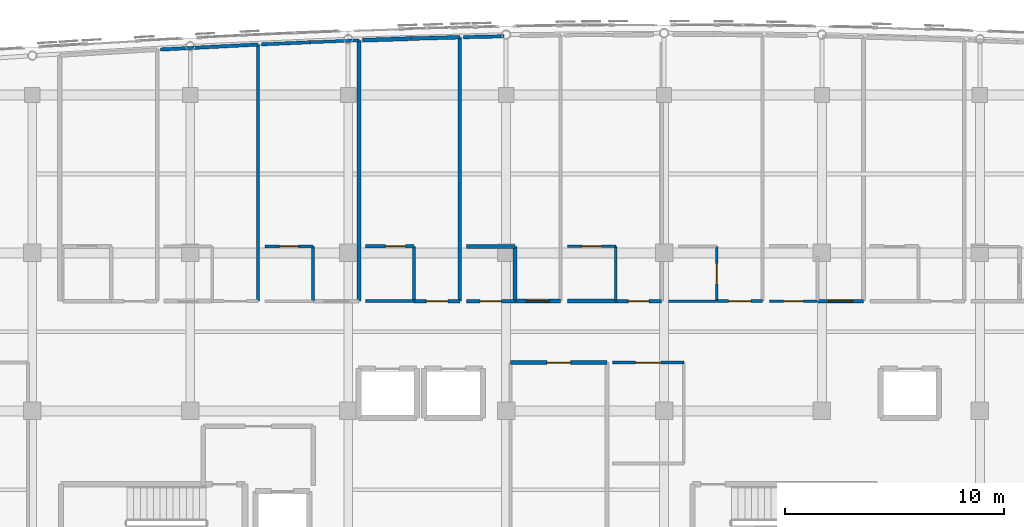
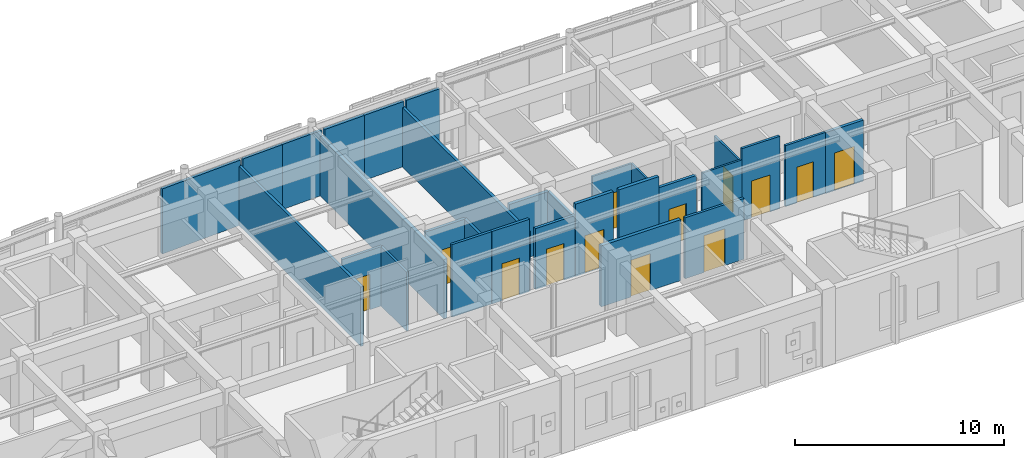
# One storey, part 82 of 106: 30 walls, 13 doors, 13 openings.
"""IFC4 building model written with IfcOpenShell, lengths in metres."""

from ifc_helpers import new_model, si_unit, direction, frame, frame_2d, origin, place, context, subcontext, project, spatial, rectangle, extrude, material, layer, layer_set, type_object, element, fill, save


model = new_model("IFC4")

# Units and contexts
model_context = context("Model", 3, precision=1e-05, world=origin(), true_north=direction((0.0, 1.0)))
body_context = subcontext(model_context, "Body", "Model", "MODEL_VIEW")
ifc_project = project(units=[si_unit("LENGTHUNIT", "METRE"), si_unit("AREAUNIT", "SQUARE_METRE"), si_unit("VOLUMEUNIT", "CUBIC_METRE"), si_unit("PLANEANGLEUNIT", "RADIAN"), si_unit("MASSUNIT", "GRAM", prefix="KILO")], contexts=[model_context])

# Site, building, storey
site_placement = place(None, origin())
site = spatial("IfcSite", under=ifc_project, at=site_placement, CompositionType="ELEMENT")
building_placement = place(site_placement, origin())
building = spatial("IfcBuilding", under=site, at=building_placement, Name="Carrowvane Square Congress Hotel", CompositionType="ELEMENT")
storey_placement = place(building_placement, frame((0.0, 0.0, 10.5)))
storey = spatial("IfcBuildingStorey", under=building, at=storey_placement, Name="L02", CompositionType="ELEMENT", Elevation=10.5)

# Wall
ifc_material_1 = material(Name="Acoustic gypsum board", Category="gypsum")
ifc_layer_1 = layer(ifc_material_1, 0.155029296875)
ifc_layer_set_1 = layer_set([ifc_layer_1], Name="Acoustic gypsum board")
wall_type_1 = type_object("IfcWallType", Name="WL-FIR-155", PredefinedType="PARTITIONING", material=ifc_layer_set_1)
wall_1_placement = place(storey_placement, frame((75.050048828125, 115.473388671875, 0.0), z_axis=(0.0, 0.0, 1.0), x_axis=(0.998700595236, 0.050961957131, 0.0)))
element("IfcWall", 1, at=wall_1_placement, inside=storey, type_object=wall_type_1, Name="L02 Parkview Guest Bedroom 0206 partition", PredefinedType="PARTITIONING", context=body_context, shape_type="SweptSolid", body=[
    extrude(rectangle(XDim=4.44580078125, YDim=0.155029296875, at=frame_2d((2.222900390625, 0.0))), origin(), (0.0, 0.0, 1.0), 3.795654296875),
])

# Wall, opening, door
wall_2_placement = place(storey_placement, frame((84.39990234375, 106.5, 0.0), z_axis=(0.0, 0.0, 1.0), x_axis=(1.0, 0.0, 0.0)))
wall_2 = element("IfcWall", 2, at=wall_2_placement, inside=storey, type_object=wall_type_1, Name="L02 En-suite Bathroom 0208 partition", PredefinedType="PARTITIONING", context=body_context, shape_type="SweptSolid", body=[
    extrude(rectangle(XDim=2.2001953125, YDim=0.155029296875, at=frame_2d((1.10009765625, 0.0))), origin(), (0.0, 0.0, 1.0), 3.455078125),
])
opening_1_placement = place(wall_2_placement, frame((0.889892578125, 0.0, 0.0)))
opening_1 = element("IfcOpeningElement", 3, at=opening_1_placement, cuts=wall_2, Name="Opening ID-03", PredefinedType="OPENING", context=body_context, shape_type="SweptSolid", body=[
    extrude(rectangle(XDim=0.919921875, YDim=2.10009765625, at=frame_2d((0.4599609375, 1.050048828125))), frame((0.0, 0.08740234375, 0.0), z_axis=(0.0, -1.0, 0.0), x_axis=(1.0, 0.0, 0.0)), (0.0, 0.0, 1.0), 0.175048828125),
])
ifc_material_2 = material(Name="European oak timber", Category="wood")
door_type_1 = type_object("IfcDoorType", Name="DR-INT-0920x2100", OperationType="NOTDEFINED", PredefinedType="DOOR", material=ifc_material_2)
door_1_placement = place(opening_1_placement, origin())
door_1 = element("IfcDoor", 4, at=door_1_placement, inside=storey, type_object=door_type_1, Name="L02 En-suite Bathroom 0208 door", OperationType="SINGLE_SWING_LEFT", OverallHeight=2.10009765625, OverallWidth=0.919921875, PredefinedType="DOOR", context=body_context, shape_type="SweptSolid", body=[
    extrude(rectangle(XDim=0.919921875, YDim=2.10009765625, at=frame_2d((0.4599609375, 1.050048828125))), frame((0.0, 0.02490234375, 0.0), z_axis=(0.0, -1.0, 0.0), x_axis=(1.0, 0.0, 0.0)), (0.0, 0.0, 1.0), 0.050048828125),
])
fill(opening_1, door_1)

# Wall
wall_3_placement = place(storey_placement, frame((88.68994140625, 116.0322265625, 0.0), z_axis=(0.0, 0.0, 1.0), x_axis=(0.0, -1.0, 0.0)))
element("IfcWall", 5, at=wall_3_placement, inside=storey, type_object=wall_type_1, Name="L02 Parkview Guest Bedroom 0208 partition", PredefinedType="PARTITIONING", context=body_context, shape_type="SweptSolid", body=[
    extrude(rectangle(XDim=12.0322265625, YDim=0.155029296875, at=frame_2d((6.01611328125, 0.0))), origin(), (0.0, 0.0, 1.0), 3.455078125),
])

# Wall, opening, door
wall_4_placement = place(storey_placement, frame((91.199951171875, 104.0, 0.0), z_axis=(0.0, 0.0, 1.0), x_axis=(-1.0, 0.0, 0.0)))
wall_4 = element("IfcWall", 6, at=wall_4_placement, inside=storey, type_object=wall_type_1, Name="L02 En-suite Bathroom 0209 partition", PredefinedType="PARTITIONING", context=body_context, shape_type="SweptSolid", body=[
    extrude(rectangle(XDim=2.199951171875, YDim=0.155029296875, at=frame_2d((1.10009765625, 0.0))), origin(), (0.0, 0.0, 1.0), 3.554931640625),
])
opening_2_placement = place(wall_4_placement, frame((0.6201171875, 0.0, 0.0)))
opening_2 = element("IfcOpeningElement", 7, at=opening_2_placement, cuts=wall_4, Name="Opening ID-05", PredefinedType="OPENING", context=body_context, shape_type="SweptSolid", body=[
    extrude(rectangle(XDim=0.9599609375, YDim=2.139892578125, at=frame_2d((0.47998046875, 1.06982421875))), frame((0.0, 0.08740234375, 0.0), z_axis=(0.0, -1.0, 0.0), x_axis=(1.0, 0.0, 0.0)), (0.0, 0.0, 1.0), 0.175048828125),
])
ifc_material_3 = material(Name="European oak timber", Category="wood")
door_type_2 = type_object("IfcDoorType", Name="DR-INT-0960x2140", OperationType="NOTDEFINED", PredefinedType="DOOR", material=ifc_material_3)
door_2_placement = place(opening_2_placement, origin())
door_2 = element("IfcDoor", 8, at=door_2_placement, inside=storey, type_object=door_type_2, Name="L02 En-suite Bathroom 0209 door", OperationType="SINGLE_SWING_LEFT", OverallHeight=2.139892578125, OverallWidth=0.9599609375, PredefinedType="DOOR", context=body_context, shape_type="SweptSolid", body=[
    extrude(rectangle(XDim=0.9599609375, YDim=2.139892578125, at=frame_2d((0.47998046875, 1.06982421875))), frame((0.0, 0.02490234375, 0.0), z_axis=(0.0, -1.0, 0.0), x_axis=(1.0, 0.0, 0.0)), (0.0, 0.0, 1.0), 0.050048828125),
])
fill(opening_2, door_2)

# Wall
wall_5_placement = place(storey_placement, frame((88.85009765625, 116.035888671875, 0.0), z_axis=(0.0, 0.0, 1.0), x_axis=(0.999762733925, 0.021782466706, 0.0)))
element("IfcWall", 9, at=wall_5_placement, inside=storey, type_object=wall_type_1, Name="L02 Parkview Guest Bedroom 0209 partition", PredefinedType="PARTITIONING", context=body_context, shape_type="SweptSolid", body=[
    extrude(rectangle(XDim=1.860595703125, YDim=0.155029296875, at=frame_2d((0.93017578125, 0.0))), origin(), (0.0, 0.0, 1.0), 3.795654296875),
])

# Wall, opening, door
wall_6_placement = place(storey_placement, frame((97.889892578125, 104.0, 0.0), z_axis=(0.0, 0.0, 1.0), x_axis=(-1.0, 0.0, 0.0)))
wall_6 = element("IfcWall", 10, at=wall_6_placement, inside=storey, type_object=wall_type_1, Name="L02 Parkview Guest Bedroom 0210 partition", PredefinedType="PARTITIONING", context=body_context, shape_type="SweptSolid", body=[
    extrude(rectangle(XDim=2.079833984375, YDim=0.155029296875, at=frame_2d((1.0400390625, 0.0))), origin(), (0.0, 0.0, 1.0), 3.554931640625),
])
opening_3_placement = place(wall_6_placement, frame((0.56494140625, 0.0, 0.0)))
opening_3 = element("IfcOpeningElement", 11, at=opening_3_placement, cuts=wall_6, Name="Opening FD-06", PredefinedType="OPENING", context=body_context, shape_type="SweptSolid", body=[
    extrude(rectangle(XDim=0.949951171875, YDim=2.10009765625, at=frame_2d((0.47509765625, 1.050048828125))), frame((0.0, 0.08740234375, 0.0), z_axis=(0.0, -1.0, 0.0), x_axis=(1.0, 0.0, 0.0)), (0.0, 0.0, 1.0), 0.175048828125),
])
ifc_material_4 = material(Name="European oak timber", Category="wood")
door_type_3 = type_object("IfcDoorType", Name="DR-FD30-0950x2100", OperationType="NOTDEFINED", PredefinedType="DOOR", material=ifc_material_4)
door_3_placement = place(opening_3_placement, origin())
door_3 = element("IfcDoor", 12, at=door_3_placement, inside=storey, type_object=door_type_3, Name="L02 Parkview Guest Bedroom 0210 entrance door", OperationType="SINGLE_SWING_RIGHT", OverallHeight=2.10009765625, OverallWidth=0.949951171875, PredefinedType="DOOR", context=body_context, shape_type="SweptSolid", body=[
    extrude(rectangle(XDim=0.949951171875, YDim=2.10009765625, at=frame_2d((0.47509765625, 1.050048828125))), frame((0.0, 0.02490234375, 0.0), z_axis=(0.0, -1.0, 0.0), x_axis=(1.0, 0.0, 0.0)), (0.0, 0.0, 1.0), 0.050048828125),
])
fill(opening_3, door_3)

# Walls
ifc_material_5 = material(Name="Acoustic gypsum board", Category="gypsum")
ifc_layer_2 = layer(ifc_material_5, 0.169921875)
ifc_layer_set_2 = layer_set([ifc_layer_2], Name="Acoustic gypsum board")
wall_type_2 = type_object("IfcWallType", Name="WL-FIR-170", PredefinedType="PARTITIONING", material=ifc_layer_set_2)
wall_7_placement = place(storey_placement, frame((86.469970703125, 115.970458984375, 0.0), z_axis=(0.0, 0.0, 1.0), x_axis=(0.999613148223, 0.027812836963, 0.0)))
element("IfcWall", 13, at=wall_7_placement, inside=storey, type_object=wall_type_2, Name="L02 Parkview Guest Bedroom 0208 partition", PredefinedType="PARTITIONING", context=body_context, shape_type="SweptSolid", body=[
    extrude(rectangle(XDim=2.220947265625, YDim=0.169921875, at=frame_2d((1.1103515625, 0.0))), origin(), (0.0, 0.0, 1.0), 3.795654296875),
])
wall_8_placement = place(storey_placement, frame((91.199951171875, 106.5, 0.0), z_axis=(0.0, 0.0, 1.0), x_axis=(0.0, -1.0, 0.0)))
element("IfcWall", 14, at=wall_8_placement, inside=storey, type_object=wall_type_2, Name="L02 En-suite Bathroom 0209 partition", PredefinedType="PARTITIONING", context=body_context, shape_type="SweptSolid", body=[
    extrude(rectangle(XDim=2.5, YDim=0.169921875, at=frame_2d((1.25, 0.0))), origin(), (0.0, 0.0, 1.0), 3.455078125),
])

# Wall, opening, door
wall_9_placement = place(storey_placement, frame((107.090087890625, 104.0, 0.0), z_axis=(0.0, 0.0, 1.0), x_axis=(-1.0, 0.0, 0.0)))
wall_9 = element("IfcWall", 15, at=wall_9_placement, inside=storey, type_object=wall_type_2, Name="L02 Parkview Guest Bedroom 0212 partition", PredefinedType="PARTITIONING", context=body_context, shape_type="SweptSolid", body=[
    extrude(rectangle(XDim=2.080078125, YDim=0.169921875, at=frame_2d((1.0400390625, 0.0))), origin(), (0.0, 0.0, 1.0), 3.554931640625),
])
opening_4_placement = place(wall_9_placement, frame((0.47998046875, 0.0, 0.0)))
opening_4 = element("IfcOpeningElement", 16, at=opening_4_placement, cuts=wall_9, Name="Opening FD-10", PredefinedType="OPENING", context=body_context, shape_type="SweptSolid", body=[
    extrude(rectangle(XDim=1.1201171875, YDim=2.199951171875, at=frame_2d((0.56005859375, 1.10009765625))), frame((0.0, 0.094970703125, 0.0), z_axis=(0.0, -1.0, 0.0), x_axis=(1.0, 0.0, 0.0)), (0.0, 0.0, 1.0), 0.18994140625),
])
ifc_material_6 = material(Name="European oak timber", Category="wood")
door_type_4 = type_object("IfcDoorType", Name="DR-FD30-1120x2200", OperationType="NOTDEFINED", PredefinedType="DOOR", material=ifc_material_6)
door_4_placement = place(opening_4_placement, origin())
door_4 = element("IfcDoor", 17, at=door_4_placement, inside=storey, type_object=door_type_4, Name="L02 Parkview Guest Bedroom 0212 entrance door", OperationType="SINGLE_SWING_RIGHT", OverallHeight=2.199951171875, OverallWidth=1.1201171875, PredefinedType="DOOR", context=body_context, shape_type="SweptSolid", body=[
    extrude(rectangle(XDim=1.1201171875, YDim=2.199951171875, at=frame_2d((0.56005859375, 1.10009765625))), frame((0.0, 0.02490234375, 0.0), z_axis=(0.0, -1.0, 0.0), x_axis=(1.0, 0.0, 0.0)), (0.0, 0.0, 1.0), 0.050048828125),
])
fill(opening_4, door_4)

ifc_material_7 = material(Name="Acoustic gypsum board", Category="gypsum")
ifc_layer_3 = layer(ifc_material_7, 0.18505859375)
ifc_layer_set_3 = layer_set([ifc_layer_3], Name="Acoustic gypsum board")
wall_type_3 = type_object("IfcWallType", Name="WL-FIR-185", PredefinedType="PARTITIONING", material=ifc_layer_set_3)
wall_10_placement = place(storey_placement, frame((91.0, 101.199951171875, 0.0), z_axis=(0.0, 0.0, 1.0), x_axis=(1.0, 0.0, 0.0)))
wall_10 = element("IfcWall", 18, at=wall_10_placement, inside=storey, type_object=wall_type_3, Name="L02 L02 Housekeeping Linen Pantry partition", PredefinedType="PARTITIONING", context=body_context, shape_type="SweptSolid", body=[
    extrude(rectangle(XDim=4.39990234375, YDim=0.18505859375, at=frame_2d((2.199951171875, 0.0))), origin(), (0.0, 0.0, 1.0), 3.554931640625),
])
opening_5_placement = place(wall_10_placement, frame((1.659912109375, 0.0, 0.0)))
opening_5 = element("IfcOpeningElement", 19, at=opening_5_placement, cuts=wall_10, Name="Opening ID-08", PredefinedType="OPENING", context=body_context, shape_type="SweptSolid", body=[
    extrude(rectangle(XDim=1.080078125, YDim=2.14990234375, at=frame_2d((0.5400390625, 1.074951171875))), frame((0.0, 0.1025390625, 0.0), z_axis=(0.0, -1.0, 0.0), x_axis=(1.0, 0.0, 0.0)), (0.0, 0.0, 1.0), 0.205078125),
])
ifc_material_8 = material(Name="European oak timber", Category="wood")
door_type_5 = type_object("IfcDoorType", Name="DR-INT-1080x2150", OperationType="NOTDEFINED", PredefinedType="DOOR", material=ifc_material_8)
door_5_placement = place(opening_5_placement, origin())
door_5 = element("IfcDoor", 20, at=door_5_placement, inside=storey, type_object=door_type_5, Name="L02 L02 Housekeeping Linen Pantry entrance door", OperationType="SINGLE_SWING_LEFT", OverallHeight=2.14990234375, OverallWidth=1.080078125, PredefinedType="DOOR", context=body_context, shape_type="SweptSolid", body=[
    extrude(rectangle(XDim=1.080078125, YDim=2.14990234375, at=frame_2d((0.5400390625, 1.074951171875))), frame((0.0, 0.02490234375, 0.0), z_axis=(0.0, -1.0, 0.0), x_axis=(1.0, 0.0, 0.0)), (0.0, 0.0, 1.0), 0.050048828125),
])
fill(opening_5, door_5)

# Walls
wall_11_placement = place(storey_placement, frame((84.090087890625, 115.890869140625, 0.0), z_axis=(0.0, 0.0, 1.0), x_axis=(0.0, -1.0, 0.0)))
element("IfcWall", 21, at=wall_11_placement, inside=storey, type_object=wall_type_3, Name="L02 Parkview Guest Bedroom 0207 partition", PredefinedType="PARTITIONING", context=body_context, shape_type="SweptSolid", body=[
    extrude(rectangle(XDim=11.890869140625, YDim=0.18505859375, at=frame_2d((5.9453125, 0.0))), origin(), (0.0, 0.0, 1.0), 3.455078125),
])
wall_12_placement = place(storey_placement, frame((84.25, 115.896484375, 0.0), z_axis=(0.0, 0.0, 1.0), x_axis=(0.999445272891, 0.03330385106, 0.0)))
element("IfcWall", 22, at=wall_12_placement, inside=storey, type_object=wall_type_3, Name="L02 Parkview Guest Bedroom 0208 partition", PredefinedType="PARTITIONING", context=body_context, shape_type="SweptSolid", body=[
    extrude(rectangle(XDim=2.22119140625, YDim=0.18505859375, at=frame_2d((1.110595703125, 0.0))), origin(), (0.0, 0.0, 1.0), 3.795654296875),
])
wall_13_placement = place(storey_placement, frame((89.0, 106.5, 0.0), z_axis=(0.0, 0.0, 1.0), x_axis=(1.0, 0.0, 0.0)))
element("IfcWall", 23, at=wall_13_placement, inside=storey, type_object=wall_type_3, Name="L02 En-suite Bathroom 0209 partition", PredefinedType="PARTITIONING", context=body_context, shape_type="SweptSolid", body=[
    extrude(rectangle(XDim=2.199951171875, YDim=0.18505859375, at=frame_2d((1.10009765625, 0.0))), origin(), (0.0, 0.0, 1.0), 3.455078125),
])

# Wall, opening, door
wall_14_placement = place(storey_placement, frame((93.2900390625, 104.0, 0.0), z_axis=(0.0, 0.0, 1.0), x_axis=(-1.0, 0.0, 0.0)))
wall_14 = element("IfcWall", 24, at=wall_14_placement, inside=storey, type_object=wall_type_3, Name="L02 Parkview Guest Bedroom 0209 partition", PredefinedType="PARTITIONING", context=body_context, shape_type="SweptSolid", body=[
    extrude(rectangle(XDim=2.080078125, YDim=0.18505859375, at=frame_2d((1.0400390625, 0.0))), origin(), (0.0, 0.0, 1.0), 4.219970703125),
])
opening_6_placement = place(wall_14_placement, frame((0.510009765625, 0.0, 0.0)))
opening_6 = element("IfcOpeningElement", 25, at=opening_6_placement, cuts=wall_14, Name="Opening FD-09", PredefinedType="OPENING", context=body_context, shape_type="SweptSolid", body=[
    extrude(rectangle(XDim=1.06005859375, YDim=2.199951171875, at=frame_2d((0.530029296875, 1.10009765625))), frame((0.0, 0.1025390625, 0.0), z_axis=(0.0, -1.0, 0.0), x_axis=(1.0, 0.0, 0.0)), (0.0, 0.0, 1.0), 0.205078125),
])
ifc_material_9 = material(Name="European oak timber", Category="wood")
door_type_6 = type_object("IfcDoorType", Name="DR-FD30-1060x2200", OperationType="NOTDEFINED", PredefinedType="DOOR", material=ifc_material_9)
door_6_placement = place(opening_6_placement, origin())
door_6 = element("IfcDoor", 26, at=door_6_placement, inside=storey, type_object=door_type_6, Name="L02 Parkview Guest Bedroom 0209 entrance door", OperationType="SINGLE_SWING_RIGHT", OverallHeight=2.199951171875, OverallWidth=1.06005859375, PredefinedType="DOOR", context=body_context, shape_type="SweptSolid", body=[
    extrude(rectangle(XDim=1.06005859375, YDim=2.199951171875, at=frame_2d((0.530029296875, 1.10009765625))), frame((0.0, 0.02490234375, 0.0), z_axis=(0.0, -1.0, 0.0), x_axis=(1.0, 0.0, 0.0)), (0.0, 0.0, 1.0), 0.050048828125),
])
fill(opening_6, door_6)

# Walls
wall_15_placement = place(storey_placement, frame((95.800048828125, 104.0, 0.0), z_axis=(0.0, 0.0, 1.0), x_axis=(-1.0, 0.0, 0.0)))
element("IfcWall", 27, at=wall_15_placement, inside=storey, type_object=wall_type_3, Name="L02 En-suite Bathroom 0210 partition", PredefinedType="PARTITIONING", context=body_context, shape_type="SweptSolid", body=[
    extrude(rectangle(XDim=2.199951171875, YDim=0.18505859375, at=frame_2d((1.10009765625, 0.0))), origin(), (0.0, 0.0, 1.0), 4.219970703125),
])
ifc_material_10 = material(Name="Acoustic gypsum board", Category="gypsum")
ifc_layer_4 = layer(ifc_material_10, 0.097900390625)
ifc_layer_set_4 = layer_set([ifc_layer_4], Name="Acoustic gypsum board")
wall_type_4 = type_object("IfcWallType", Name="WL-PRT-098", PredefinedType="PARTITIONING", material=ifc_layer_set_4)
wall_16_placement = place(storey_placement, frame((95.800048828125, 106.5, 0.0), z_axis=(0.0, 0.0, 1.0), x_axis=(0.0, -1.0, 0.0)))
element("IfcWall", 28, at=wall_16_placement, inside=storey, type_object=wall_type_4, Name="L02 En-suite Bathroom 0210 partition", PredefinedType="PARTITIONING", context=body_context, shape_type="SweptSolid", body=[
    extrude(rectangle(XDim=2.5, YDim=0.097900390625, at=frame_2d((1.25, 0.0))), origin(), (0.0, 0.0, 1.0), 3.455078125),
])

# Wall, opening, door
ifc_material_11 = material(Name="Acoustic gypsum board", Category="gypsum")
ifc_layer_5 = layer(ifc_material_11, 0.10791015625)
ifc_layer_set_5 = layer_set([ifc_layer_5], Name="Acoustic gypsum board")
wall_type_5 = type_object("IfcWallType", Name="WL-PRT-108", PredefinedType="PARTITIONING", material=ifc_layer_set_5)
wall_17_placement = place(storey_placement, frame((93.60009765625, 106.5, 0.0), z_axis=(0.0, 0.0, 1.0), x_axis=(1.0, 0.0, 0.0)))
wall_17 = element("IfcWall", 29, at=wall_17_placement, inside=storey, type_object=wall_type_5, Name="L02 En-suite Bathroom 0210 partition", PredefinedType="PARTITIONING", context=body_context, shape_type="SweptSolid", body=[
    extrude(rectangle(XDim=2.199951171875, YDim=0.10791015625, at=frame_2d((1.10009765625, 0.0))), origin(), (0.0, 0.0, 1.0), 3.455078125),
])
opening_7_placement = place(wall_17_placement, frame((0.655029296875, 0.0, 0.0)))
opening_7 = element("IfcOpeningElement", 30, at=opening_7_placement, cuts=wall_17, Name="Opening ID-16", PredefinedType="OPENING", context=body_context, shape_type="SweptSolid", body=[
    extrude(rectangle(XDim=0.889892578125, YDim=2.090087890625, at=frame_2d((0.44482421875, 1.044921875))), frame((0.0, 0.06396484375, 0.0), z_axis=(0.0, -1.0, 0.0), x_axis=(1.0, 0.0, 0.0)), (0.0, 0.0, 1.0), 0.1279296875),
])
ifc_material_12 = material(Name="European oak timber", Category="wood")
door_type_7 = type_object("IfcDoorType", Name="DR-INT-0890x2090", OperationType="NOTDEFINED", PredefinedType="DOOR", material=ifc_material_12)
door_7_placement = place(opening_7_placement, origin())
door_7 = element("IfcDoor", 31, at=door_7_placement, inside=storey, type_object=door_type_7, Name="L02 En-suite Bathroom 0210 door", OperationType="SINGLE_SWING_LEFT", OverallHeight=2.090087890625, OverallWidth=0.889892578125, PredefinedType="DOOR", context=body_context, shape_type="SweptSolid", body=[
    extrude(rectangle(XDim=0.889892578125, YDim=2.090087890625, at=frame_2d((0.44482421875, 1.044921875))), frame((0.0, 0.02490234375, 0.0), z_axis=(0.0, -1.0, 0.0), x_axis=(1.0, 0.0, 0.0)), (0.0, 0.0, 1.0), 0.050048828125),
])
fill(opening_7, door_7)

# Wall
wall_18_placement = place(storey_placement, frame((100.39990234375, 104.0, 0.0), z_axis=(0.0, 0.0, 1.0), x_axis=(-1.0, 0.0, 0.0)))
element("IfcWall", 32, at=wall_18_placement, inside=storey, type_object=wall_type_5, Name="L02 En-suite Bathroom 0211 partition", PredefinedType="PARTITIONING", context=body_context, shape_type="SweptSolid", body=[
    extrude(rectangle(XDim=2.199951171875, YDim=0.10791015625, at=frame_2d((1.10009765625, 0.0))), origin(), (0.0, 0.0, 1.0), 3.554931640625),
])

# Wall, opening, door
ifc_material_13 = material(Name="Acoustic gypsum board", Category="gypsum")
ifc_layer_6 = layer(ifc_material_13, 0.117919921875)
ifc_layer_set_6 = layer_set([ifc_layer_6], Name="Acoustic gypsum board")
wall_type_6 = type_object("IfcWallType", Name="WL-PRT-118", PredefinedType="PARTITIONING", material=ifc_layer_set_6)
wall_19_placement = place(storey_placement, frame((100.39990234375, 106.5, 0.0), z_axis=(0.0, 0.0, 1.0), x_axis=(0.0, -1.0, 0.0)))
wall_19 = element("IfcWall", 33, at=wall_19_placement, inside=storey, type_object=wall_type_6, Name="L02 En-suite Bathroom 0211 partition", PredefinedType="PARTITIONING", context=body_context, shape_type="SweptSolid", body=[
    extrude(rectangle(XDim=2.5, YDim=0.117919921875, at=frame_2d((1.25, 0.0))), origin(), (0.0, 0.0, 1.0), 3.455078125),
])
opening_8_placement = place(wall_19_placement, frame((0.784912109375, 0.0, 0.0)))
opening_8 = element("IfcOpeningElement", 34, at=opening_8_placement, cuts=wall_19, Name="Opening ID-18", PredefinedType="OPENING", context=body_context, shape_type="SweptSolid", body=[
    extrude(rectangle(XDim=0.929931640625, YDim=2.1298828125, at=frame_2d((0.46484375, 1.06494140625))), frame((0.0, 0.06884765625, 0.0), z_axis=(0.0, -1.0, 0.0), x_axis=(1.0, 0.0, 0.0)), (0.0, 0.0, 1.0), 0.137939453125),
])
ifc_material_14 = material(Name="European oak timber", Category="wood")
door_type_8 = type_object("IfcDoorType", Name="DR-INT-0930x2130", OperationType="NOTDEFINED", PredefinedType="DOOR", material=ifc_material_14)
door_8_placement = place(opening_8_placement, origin())
door_8 = element("IfcDoor", 35, at=door_8_placement, inside=storey, type_object=door_type_8, Name="L02 En-suite Bathroom 0211 door", OperationType="SINGLE_SWING_LEFT", OverallHeight=2.1298828125, OverallWidth=0.929931640625, PredefinedType="DOOR", context=body_context, shape_type="SweptSolid", body=[
    extrude(rectangle(XDim=0.929931640625, YDim=2.1298828125, at=frame_2d((0.46484375, 1.06494140625))), frame((0.0, 0.02490234375, 0.0), z_axis=(0.0, -1.0, 0.0), x_axis=(1.0, 0.0, 0.0)), (0.0, 0.0, 1.0), 0.050048828125),
])
fill(opening_8, door_8)

# Wall
ifc_material_15 = material(Name="Acoustic gypsum board", Category="gypsum")
ifc_layer_7 = layer(ifc_material_15, 0.1279296875)
ifc_layer_set_7 = layer_set([ifc_layer_7], Name="Acoustic gypsum board")
wall_type_7 = type_object("IfcWallType", Name="WL-PRT-128", PredefinedType="PARTITIONING", material=ifc_layer_set_7)
wall_20_placement = place(storey_placement, frame((82.0, 106.5, 0.0), z_axis=(0.0, 0.0, 1.0), x_axis=(0.0, -1.0, 0.0)))
element("IfcWall", 36, at=wall_20_placement, inside=storey, type_object=wall_type_7, Name="L02 En-suite Bathroom 0207 partition", PredefinedType="PARTITIONING", context=body_context, shape_type="SweptSolid", body=[
    extrude(rectangle(XDim=2.5, YDim=0.1279296875, at=frame_2d((1.25, 0.0))), origin(), (0.0, 0.0, 1.0), 3.455078125),
])

# Wall, opening, door
wall_21_placement = place(storey_placement, frame((105.0, 104.0, 0.0), z_axis=(0.0, 0.0, 1.0), x_axis=(-1.0, 0.0, 0.0)))
wall_21 = element("IfcWall", 37, at=wall_21_placement, inside=storey, type_object=wall_type_7, Name="L02 En-suite Bathroom 0212 partition", PredefinedType="PARTITIONING", context=body_context, shape_type="SweptSolid", body=[
    extrude(rectangle(XDim=2.199951171875, YDim=0.1279296875, at=frame_2d((1.10009765625, 0.0))), origin(), (0.0, 0.0, 1.0), 3.554931640625),
])
opening_9_placement = place(wall_21_placement, frame((0.64990234375, 0.0, 0.0)))
opening_9 = element("IfcOpeningElement", 38, at=opening_9_placement, cuts=wall_21, Name="Opening ID-02", PredefinedType="OPENING", context=body_context, shape_type="SweptSolid", body=[
    extrude(rectangle(XDim=0.89990234375, YDim=2.080078125, at=frame_2d((0.449951171875, 1.0400390625))), frame((0.0, 0.073974609375, 0.0), z_axis=(0.0, -1.0, 0.0), x_axis=(1.0, 0.0, 0.0)), (0.0, 0.0, 1.0), 0.14794921875),
])
ifc_material_16 = material(Name="European oak timber", Category="wood")
door_type_9 = type_object("IfcDoorType", Name="DR-INT-0900x2080", OperationType="NOTDEFINED", PredefinedType="DOOR", material=ifc_material_16)
door_9_placement = place(opening_9_placement, origin())
door_9 = element("IfcDoor", 39, at=door_9_placement, inside=storey, type_object=door_type_9, Name="L02 En-suite Bathroom 0212 door", OperationType="SINGLE_SWING_LEFT", OverallHeight=2.080078125, OverallWidth=0.89990234375, PredefinedType="DOOR", context=body_context, shape_type="SweptSolid", body=[
    extrude(rectangle(XDim=0.89990234375, YDim=2.080078125, at=frame_2d((0.449951171875, 1.0400390625))), frame((0.0, 0.02490234375, 0.0), z_axis=(0.0, -1.0, 0.0), x_axis=(1.0, 0.0, 0.0)), (0.0, 0.0, 1.0), 0.050048828125),
])
fill(opening_9, door_9)

ifc_material_17 = material(Name="Acoustic gypsum board", Category="gypsum")
ifc_layer_8 = layer(ifc_material_17, 0.137939453125)
ifc_layer_set_8 = layer_set([ifc_layer_8], Name="Acoustic gypsum board")
wall_type_8 = type_object("IfcWallType", Name="WL-PRT-138", PredefinedType="PARTITIONING", material=ifc_layer_set_8)
wall_22_placement = place(storey_placement, frame((95.64990234375, 101.199951171875, 0.0), z_axis=(0.0, 0.0, 1.0), x_axis=(1.0, 0.0, 0.0)))
wall_22 = element("IfcWall", 40, at=wall_22_placement, inside=storey, type_object=wall_type_8, Name="L02 L02 Accessible Guest WC partition", PredefinedType="PARTITIONING", context=body_context, shape_type="SweptSolid", body=[
    extrude(rectangle(XDim=3.25, YDim=0.137939453125, at=frame_2d((1.625, 0.0))), origin(), (0.0, 0.0, 1.0), 3.554931640625),
])
opening_10_placement = place(wall_22_placement, frame((1.050048828125, 0.0, 0.0)))
opening_10 = element("IfcOpeningElement", 41, at=opening_10_placement, cuts=wall_22, Name="Opening ID-09", PredefinedType="OPENING", context=body_context, shape_type="SweptSolid", body=[
    extrude(rectangle(XDim=1.14990234375, YDim=2.14990234375, at=frame_2d((0.574951171875, 1.074951171875))), frame((0.0, 0.078857421875, 0.0), z_axis=(0.0, -1.0, 0.0), x_axis=(1.0, 0.0, 0.0)), (0.0, 0.0, 1.0), 0.157958984375),
])
ifc_material_18 = material(Name="European oak timber", Category="wood")
door_type_10 = type_object("IfcDoorType", Name="DR-INT-1150x2150", OperationType="NOTDEFINED", PredefinedType="DOOR", material=ifc_material_18)
door_10_placement = place(opening_10_placement, origin())
door_10 = element("IfcDoor", 42, at=door_10_placement, inside=storey, type_object=door_type_10, Name="L02 L02 Accessible Guest WC entrance door", OperationType="SINGLE_SWING_RIGHT", OverallHeight=2.14990234375, OverallWidth=1.14990234375, PredefinedType="DOOR", context=body_context, shape_type="SweptSolid", body=[
    extrude(rectangle(XDim=1.14990234375, YDim=2.14990234375, at=frame_2d((0.574951171875, 1.074951171875))), frame((0.0, 0.02490234375, 0.0), z_axis=(0.0, -1.0, 0.0), x_axis=(1.0, 0.0, 0.0)), (0.0, 0.0, 1.0), 0.050048828125),
])
fill(opening_10, door_10)

wall_23_placement = place(storey_placement, frame((79.800048828125, 106.5, 0.0), z_axis=(0.0, 0.0, 1.0), x_axis=(1.0, 0.0, 0.0)))
wall_23 = element("IfcWall", 43, at=wall_23_placement, inside=storey, type_object=wall_type_8, Name="L02 En-suite Bathroom 0207 partition", PredefinedType="PARTITIONING", context=body_context, shape_type="SweptSolid", body=[
    extrude(rectangle(XDim=2.199951171875, YDim=0.137939453125, at=frame_2d((1.10009765625, 0.0))), origin(), (0.0, 0.0, 1.0), 3.455078125),
])
opening_11_placement = place(wall_23_placement, frame((0.659912109375, 0.0, 0.0)))
opening_11 = element("IfcOpeningElement", 44, at=opening_11_placement, cuts=wall_23, Name="Opening ID-01", PredefinedType="OPENING", context=body_context, shape_type="SweptSolid", body=[
    extrude(rectangle(XDim=0.8798828125, YDim=2.06005859375, at=frame_2d((0.43994140625, 1.030029296875))), frame((0.0, 0.078857421875, 0.0), z_axis=(0.0, -1.0, 0.0), x_axis=(1.0, 0.0, 0.0)), (0.0, 0.0, 1.0), 0.157958984375),
])
ifc_material_19 = material(Name="European oak timber", Category="wood")
door_type_11 = type_object("IfcDoorType", Name="DR-INT-0880x2060", OperationType="NOTDEFINED", PredefinedType="DOOR", material=ifc_material_19)
door_11_placement = place(opening_11_placement, origin())
door_11 = element("IfcDoor", 45, at=door_11_placement, inside=storey, type_object=door_type_11, Name="L02 En-suite Bathroom 0207 door", OperationType="SINGLE_SWING_LEFT", OverallHeight=2.06005859375, OverallWidth=0.8798828125, PredefinedType="DOOR", context=body_context, shape_type="SweptSolid", body=[
    extrude(rectangle(XDim=0.8798828125, YDim=2.06005859375, at=frame_2d((0.43994140625, 1.030029296875))), frame((0.0, 0.02490234375, 0.0), z_axis=(0.0, -1.0, 0.0), x_axis=(1.0, 0.0, 0.0)), (0.0, 0.0, 1.0), 0.050048828125),
])
fill(opening_11, door_11)

# Walls
wall_24_placement = place(storey_placement, frame((81.8701171875, 115.804443359375, 0.0), z_axis=(0.0, 0.0, 1.0), x_axis=(0.999243047169, 0.038901576894, 0.0)))
element("IfcWall", 46, at=wall_24_placement, inside=storey, type_object=wall_type_8, Name="L02 Parkview Guest Bedroom 0207 partition", PredefinedType="PARTITIONING", context=body_context, shape_type="SweptSolid", body=[
    extrude(rectangle(XDim=2.2216796875, YDim=0.137939453125, at=frame_2d((1.11083984375, 0.0))), origin(), (0.0, 0.0, 1.0), 3.795654296875),
])
wall_25_placement = place(storey_placement, frame((86.60009765625, 104.0, 0.0), z_axis=(0.0, 0.0, 1.0), x_axis=(-1.0, 0.0, 0.0)))
element("IfcWall", 47, at=wall_25_placement, inside=storey, type_object=wall_type_8, Name="L02 En-suite Bathroom 0208 partition", PredefinedType="PARTITIONING", context=body_context, shape_type="SweptSolid", body=[
    extrude(rectangle(XDim=2.2001953125, YDim=0.137939453125, at=frame_2d((1.10009765625, 0.0))), origin(), (0.0, 0.0, 1.0), 4.219970703125),
])

# Wall, opening, door
wall_26_placement = place(storey_placement, frame((102.489990234375, 104.0, 0.0), z_axis=(0.0, 0.0, 1.0), x_axis=(-1.0, 0.0, 0.0)))
wall_26 = element("IfcWall", 48, at=wall_26_placement, inside=storey, type_object=wall_type_8, Name="L02 Parkview Guest Bedroom 0211 partition", PredefinedType="PARTITIONING", context=body_context, shape_type="SweptSolid", body=[
    extrude(rectangle(XDim=2.080078125, YDim=0.137939453125, at=frame_2d((1.0400390625, 0.0))), origin(), (0.0, 0.0, 1.0), 4.219970703125),
])
opening_12_placement = place(wall_26_placement, frame((0.530029296875, 0.0, 0.0)))
opening_12 = element("IfcOpeningElement", 49, at=opening_12_placement, cuts=wall_26, Name="Opening FD-08", PredefinedType="OPENING", context=body_context, shape_type="SweptSolid", body=[
    extrude(rectangle(XDim=1.02001953125, YDim=2.14990234375, at=frame_2d((0.510009765625, 1.074951171875))), frame((0.0, 0.078857421875, 0.0), z_axis=(0.0, -1.0, 0.0), x_axis=(1.0, 0.0, 0.0)), (0.0, 0.0, 1.0), 0.157958984375),
])
ifc_material_20 = material(Name="European oak timber", Category="wood")
door_type_12 = type_object("IfcDoorType", Name="DR-FD30-1020x2150", OperationType="NOTDEFINED", PredefinedType="DOOR", material=ifc_material_20)
door_12_placement = place(opening_12_placement, origin())
door_12 = element("IfcDoor", 50, at=door_12_placement, inside=storey, type_object=door_type_12, Name="L02 Parkview Guest Bedroom 0211 entrance door", OperationType="SINGLE_SWING_RIGHT", OverallHeight=2.14990234375, OverallWidth=1.02001953125, PredefinedType="DOOR", context=body_context, shape_type="SweptSolid", body=[
    extrude(rectangle(XDim=1.02001953125, YDim=2.14990234375, at=frame_2d((0.510009765625, 1.074951171875))), frame((0.0, 0.02490234375, 0.0), z_axis=(0.0, -1.0, 0.0), x_axis=(1.0, 0.0, 0.0)), (0.0, 0.0, 1.0), 0.050048828125),
])
fill(opening_12, door_12)

# Walls
ifc_material_21 = material(Name="Acoustic gypsum board", Category="gypsum")
ifc_layer_9 = layer(ifc_material_21, 0.14794921875)
ifc_layer_set_9 = layer_set([ifc_layer_9], Name="Acoustic gypsum board")
wall_type_9 = type_object("IfcWallType", Name="WL-PRT-148", PredefinedType="PARTITIONING", material=ifc_layer_set_9)
wall_27_placement = place(storey_placement, frame((79.489990234375, 115.699951171875, 0.0), z_axis=(0.0, 0.0, 1.0), x_axis=(0.0, -1.0, 0.0)))
element("IfcWall", 51, at=wall_27_placement, inside=storey, type_object=wall_type_9, Name="L02 Parkview Guest Bedroom 0206 partition", PredefinedType="PARTITIONING", context=body_context, shape_type="SweptSolid", body=[
    extrude(rectangle(XDim=11.699951171875, YDim=0.14794921875, at=frame_2d((5.85009765625, 0.0))), origin(), (0.0, 0.0, 1.0), 3.455078125),
])
wall_28_placement = place(storey_placement, frame((79.64990234375, 115.70703125, 0.0), z_axis=(0.0, 0.0, 1.0), x_axis=(0.999038875986, 0.043832913077, 0.0)))
element("IfcWall", 52, at=wall_28_placement, inside=storey, type_object=wall_type_9, Name="L02 Parkview Guest Bedroom 0207 partition", PredefinedType="PARTITIONING", context=body_context, shape_type="SweptSolid", body=[
    extrude(rectangle(XDim=2.222412109375, YDim=0.14794921875, at=frame_2d((1.111328125, 0.0))), origin(), (0.0, 0.0, 1.0), 3.795654296875),
])
wall_29_placement = place(storey_placement, frame((86.60009765625, 106.5, 0.0), z_axis=(0.0, 0.0, 1.0), x_axis=(0.0, -1.0, 0.0)))
element("IfcWall", 53, at=wall_29_placement, inside=storey, type_object=wall_type_9, Name="L02 En-suite Bathroom 0208 partition", PredefinedType="PARTITIONING", context=body_context, shape_type="SweptSolid", body=[
    extrude(rectangle(XDim=2.5, YDim=0.14794921875, at=frame_2d((1.25, 0.0))), origin(), (0.0, 0.0, 1.0), 3.455078125),
])

# Wall, opening, door
wall_30_placement = place(storey_placement, frame((88.68994140625, 104.0, 0.0), z_axis=(0.0, 0.0, 1.0), x_axis=(-1.0, 0.0, 0.0)))
wall_30 = element("IfcWall", 54, at=wall_30_placement, inside=storey, type_object=wall_type_9, Name="L02 Parkview Guest Bedroom 0208 partition", PredefinedType="PARTITIONING", context=body_context, shape_type="SweptSolid", body=[
    extrude(rectangle(XDim=2.079833984375, YDim=0.14794921875, at=frame_2d((1.0400390625, 0.0))), origin(), (0.0, 0.0, 1.0), 4.219970703125),
])
opening_13_placement = place(wall_30_placement, frame((0.550048828125, 0.0, 0.0)))
opening_13 = element("IfcOpeningElement", 55, at=opening_13_placement, cuts=wall_30, Name="Opening FD-07", PredefinedType="OPENING", context=body_context, shape_type="SweptSolid", body=[
    extrude(rectangle(XDim=0.97998046875, YDim=2.14990234375, at=frame_2d((0.489990234375, 1.074951171875))), frame((0.0, 0.083984375, 0.0), z_axis=(0.0, -1.0, 0.0), x_axis=(1.0, 0.0, 0.0)), (0.0, 0.0, 1.0), 0.16796875),
])
ifc_material_22 = material(Name="European oak timber", Category="wood")
door_type_13 = type_object("IfcDoorType", Name="DR-FD30-0980x2150", OperationType="NOTDEFINED", PredefinedType="DOOR", material=ifc_material_22)
door_13_placement = place(opening_13_placement, origin())
door_13 = element("IfcDoor", 56, at=door_13_placement, inside=storey, type_object=door_type_13, Name="L02 Parkview Guest Bedroom 0208 entrance door", OperationType="SINGLE_SWING_RIGHT", OverallHeight=2.14990234375, OverallWidth=0.97998046875, PredefinedType="DOOR", context=body_context, shape_type="SweptSolid", body=[
    extrude(rectangle(XDim=0.97998046875, YDim=2.14990234375, at=frame_2d((0.489990234375, 1.074951171875))), frame((0.0, 0.02490234375, 0.0), z_axis=(0.0, -1.0, 0.0), x_axis=(1.0, 0.0, 0.0)), (0.0, 0.0, 1.0), 0.050048828125),
])
fill(opening_13, door_13)

save(model, "model.ifc")
